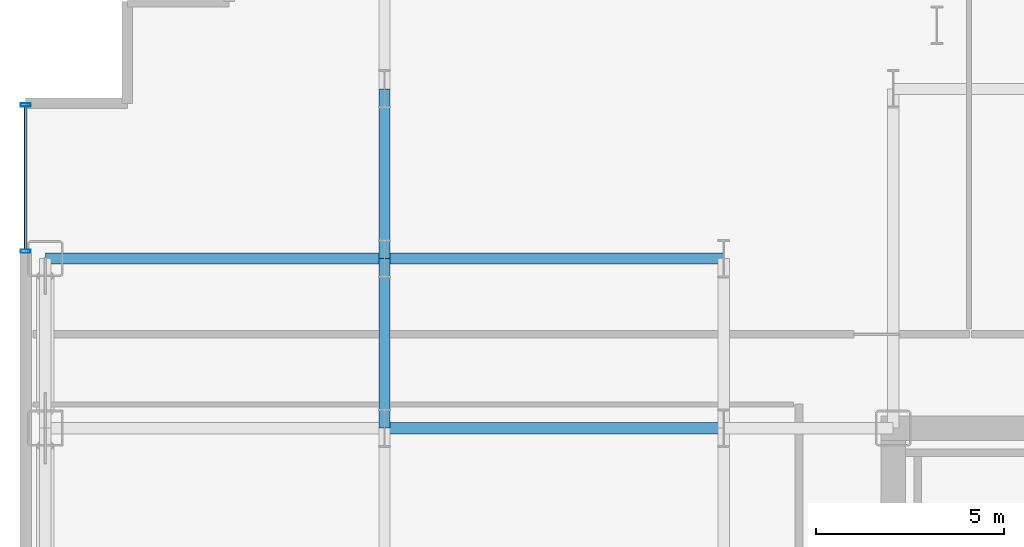
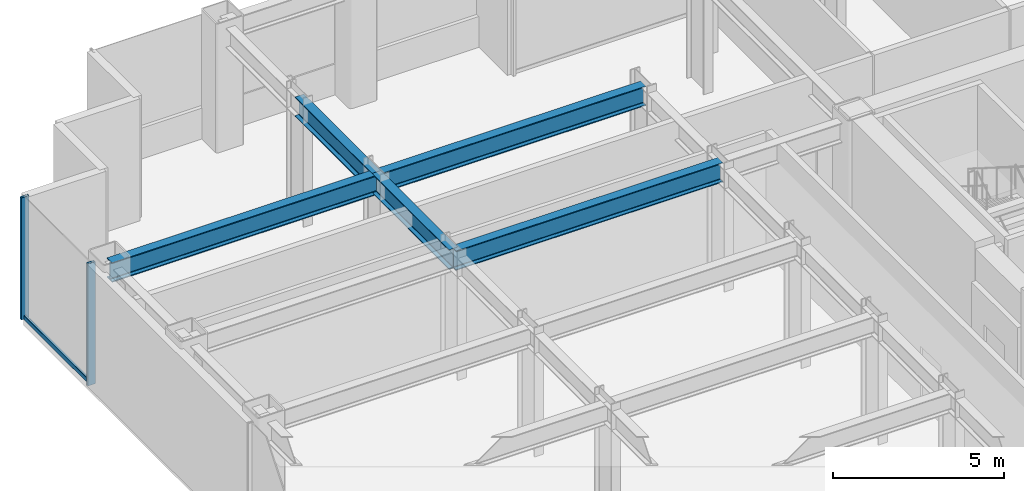
# One storey, part 11 of 30: 5 beams, 3 members, 1 element without a shape of its own.
"""IFC4 building model written with IfcOpenShell, lengths in metres."""

from ifc_helpers import new_model, si_unit, direction, frame, origin, origin_2d, place, context, subcontext, project, spatial, hollow_rectangle, i_section, extrude, source, transform, mapped, material, layer, layer_set, material_profile, profile_set, type_object, element, aggregate, save


model = new_model("IFC4")

# Units and contexts
model_context = context("Model", 3, precision=1e-05, world=origin(), true_north=direction((0.0, 1.0)))
body_context = subcontext(model_context, "Body", "Model", "MODEL_VIEW")
ifc_project = project(units=[si_unit("LENGTHUNIT", "METRE"), si_unit("AREAUNIT", "SQUARE_METRE"), si_unit("VOLUMEUNIT", "CUBIC_METRE"), si_unit("PLANEANGLEUNIT", "RADIAN"), si_unit("MASSUNIT", "GRAM", prefix="KILO")], contexts=[model_context])

# Site, building, storey
site_placement = place(None, origin())
site = spatial("IfcSite", under=ifc_project, at=site_placement, CompositionType="ELEMENT")
building_placement = place(site_placement, origin())
building = spatial("IfcBuilding", under=site, at=building_placement, Name="Nefas-Gora Pilgrimage Tower", CompositionType="ELEMENT")
storey_placement = place(building_placement, frame((0.0, 0.0, 86.199951171875)))
storey = spatial("IfcBuildingStorey", under=building, at=storey_placement, Name="L20", CompositionType="ELEMENT", Elevation=86.199951171875)

# Beams
ifc_material_1 = material(Name="Steel S355", Category="steel")
ifc_material_profile_1 = material_profile(ifc_material_1, i_section(OverallWidth=0.300048828125, OverallDepth=0.699951171875, WebThickness=0.01708984375, FlangeThickness=0.031982421875, FilletRadius=0.027099609375, at=origin_2d()), Name="HEB 700")
ifc_profile_set_1 = profile_set([ifc_material_profile_1], Name="Steel S355")
beam_type = type_object("IfcBeamType", Name="BM-GIR-HEB700", PredefinedType="BEAM", material=ifc_profile_set_1)
shared_shape_1 = source(origin(), body_context, "Body", "SweptSolid", [
    extrude(i_section(OverallWidth=0.300048828125, OverallDepth=0.699951171875, WebThickness=0.01708984375, FlangeThickness=0.031982421875, FilletRadius=0.027099609375, at=origin_2d()), origin(), (0.0, 0.0, 1.0), 9.0),
])
for number, where, z_axis, x_axis, name in (
    (1, (-33.75, 13.5, 4.0), (1.0, 0.0, 0.0), (0.0, 1.0, 0.0), "L20 G-02 beam"),
    (2, (-24.75, 9.0, 4.0), (1.0, 0.0, 0.0), (0.0, 1.0, 0.0), "L20 G-02 beam"),
    (3, (-24.75, 13.5, 4.0), (1.0, 0.0, 0.0), (0.0, 1.0, 0.0), "L20 G-02 beam"),
):
    element("IfcBeam", number, at=place(storey_placement, frame(where, z_axis=z_axis, x_axis=x_axis)), inside=storey, type_object=beam_type, Name=name, PredefinedType="BEAM", context=body_context, shape_type="MappedRepresentation", body=[
        mapped(shared_shape_1, transform((0.0, 0.0, 0.0), x_axis=(1.0, 0.0, 0.0), y_axis=(0.0, 1.0, 0.0), z_axis=(0.0, 0.0, 1.0), scale=1.0)),
    ])
shared_shape_2 = source(origin(), body_context, "Body", "SweptSolid", [
    extrude(i_section(OverallWidth=0.300048828125, OverallDepth=0.699951171875, WebThickness=0.01708984375, FlangeThickness=0.031982421875, FilletRadius=0.027099609375, at=origin_2d()), origin(), (0.0, 0.0, 1.0), 4.5),
])
for number, where, z_axis, x_axis, name in (
    (4, (-24.75, 9.0, 4.0), (0.0, 1.0, 0.0), (-1.0, 0.0, 0.0), "L20 G-02 beam"),
    (5, (-24.75, 13.5, 4.0), (0.0, 1.0, 0.0), (-1.0, 0.0, 0.0), "L20 G-02 beam"),
):
    element("IfcBeam", number, at=place(storey_placement, frame(where, z_axis=z_axis, x_axis=x_axis)), inside=storey, type_object=beam_type, Name=name, PredefinedType="BEAM", context=body_context, shape_type="MappedRepresentation", body=[
        mapped(shared_shape_2, transform((0.0, 0.0, 0.0), x_axis=(1.0, 0.0, 0.0), y_axis=(0.0, 1.0, 0.0), z_axis=(0.0, 0.0, 1.0), scale=1.0)),
    ])

# Curtain wall, members
ifc_material_2 = material(Name="Dark ceramic-fritted solar-control aluminium-glass curtain wall", Category="aluminium")
ifc_layer = layer(ifc_material_2, 0.219970703125)
ifc_layer_set = layer_set([ifc_layer], Name="Dark ceramic-fritted solar-control aluminium-glass curtain wall")
curtain_wall_type = type_object("IfcCurtainWallType", Name="CW-SYS-2", PredefinedType="NOTDEFINED", material=ifc_layer_set)
curtain_wall_placement = place(storey_placement, origin())
curtain_wall = element("IfcCurtainWall", 6, at=curtain_wall_placement, inside=storey, type_object=curtain_wall_type, Name="L20 Unitised Curtain Wall CW2", PredefinedType="NOTDEFINED")
ifc_material_3 = material(Name="Anodised architectural aluminium", Category="aluminium")
ifc_material_profile_2 = material_profile(ifc_material_3, hollow_rectangle(XDim=0.090087890625, YDim=0.260009765625, WallThickness=0.006103515625, InnerFilletRadius=0.006103515625, OuterFilletRadius=0.011962890625, at=origin_2d()), Name="ALU MULLION 90x260")
ifc_profile_set_2 = profile_set([ifc_material_profile_2], Name="Anodised architectural aluminium")
member_type_1 = type_object("IfcMemberType", Name="CWM-MUL-2", PredefinedType="MULLION", material=ifc_profile_set_2)
shared_shape_3 = source(origin(), body_context, "Body", "SweptSolid", [
    extrude(hollow_rectangle(XDim=0.090087890625, YDim=0.260009765625, WallThickness=0.006103515625, InnerFilletRadius=0.006103515625, OuterFilletRadius=0.011962890625, at=origin_2d()), origin(), (0.0, 0.0, 1.0), 4.35009765625),
])
member_1_placement = place(storey_placement, frame((-34.27001953125, 17.574951171875, 0.0), z_axis=(0.0, 0.0, 1.0), x_axis=(0.0, -1.0, 0.0)))
member_1 = element("IfcMember", 7, at=member_1_placement, type_object=member_type_1, Name="CW2 Mullion 1", PredefinedType="MULLION", context=body_context, shape_type="MappedRepresentation", body=[
    mapped(shared_shape_3, transform((0.0, 0.0, 0.0), x_axis=(1.0, 0.0, 0.0), y_axis=(0.0, 1.0, 0.0), z_axis=(0.0, 0.0, 1.0), scale=1.0)),
])
member_2_placement = place(storey_placement, frame((-34.27001953125, 13.695068359375, 0.0), z_axis=(0.0, 0.0, 1.0), x_axis=(0.0, -1.0, 0.0)))
member_2 = element("IfcMember", 8, at=member_2_placement, type_object=member_type_1, Name="CW2 Mullion 2", PredefinedType="MULLION", context=body_context, shape_type="MappedRepresentation", body=[
    mapped(shared_shape_3, transform((0.0, 0.0, 0.0), x_axis=(1.0, 0.0, 0.0), y_axis=(0.0, 1.0, 0.0), z_axis=(0.0, 0.0, 1.0), scale=1.0)),
])
ifc_material_profile_3 = material_profile(ifc_material_3, hollow_rectangle(XDim=0.080078125, YDim=0.159912109375, WallThickness=0.00439453125, InnerFilletRadius=0.00439453125, OuterFilletRadius=0.009033203125, at=origin_2d()), Name="ALU TRANSOM 80x160")
ifc_profile_set_3 = profile_set([ifc_material_profile_3], Name="Anodised architectural aluminium")
member_type_2 = type_object("IfcMemberType", Name="CWM-TRN-2", PredefinedType="USERDEFINED", material=ifc_profile_set_3)
shared_shape_4 = source(origin(), body_context, "Body", "SweptSolid", [
    extrude(hollow_rectangle(XDim=0.080078125, YDim=0.159912109375, WallThickness=0.00439453125, InnerFilletRadius=0.00439453125, OuterFilletRadius=0.009033203125, at=origin_2d()), origin(), (0.0, 0.0, 1.0), 3.7900390625),
])
member_3_placement = place(storey_placement, frame((-34.27001953125, 17.530029296875, 0.050048828125), z_axis=(0.0, -1.0, 0.0), x_axis=(1.0, 0.0, 0.0)))
member_3 = element("IfcMember", 9, at=member_3_placement, type_object=member_type_2, Name="CW2 Spandrel Transom", ObjectType="TRANSOM", PredefinedType="USERDEFINED", context=body_context, shape_type="MappedRepresentation", body=[
    mapped(shared_shape_4, transform((0.0, 0.0, 0.0), x_axis=(1.0, 0.0, 0.0), y_axis=(0.0, 1.0, 0.0), z_axis=(0.0, 0.0, 1.0), scale=1.0)),
])
aggregate(curtain_wall, [member_1, member_2, member_3])

save(model, "model.ifc")
